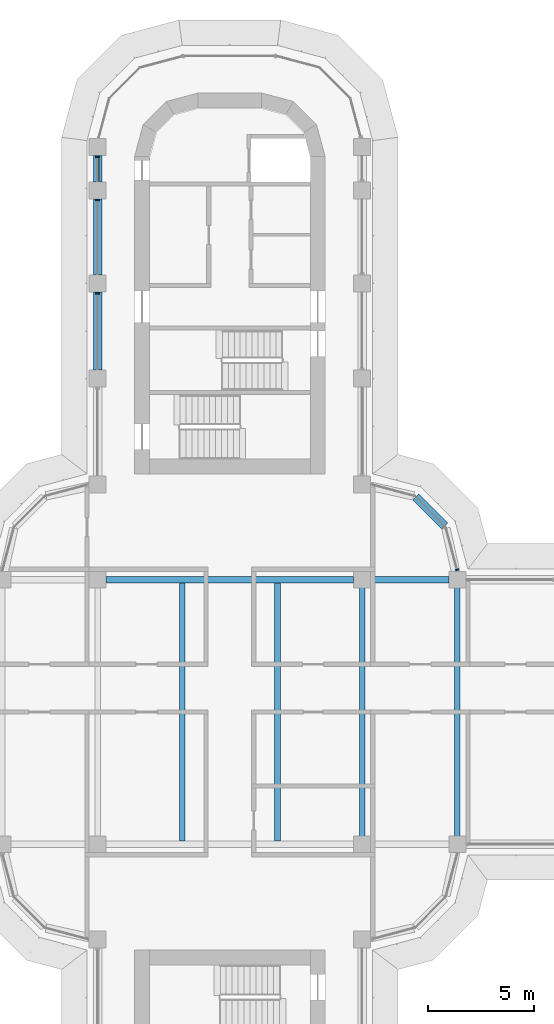
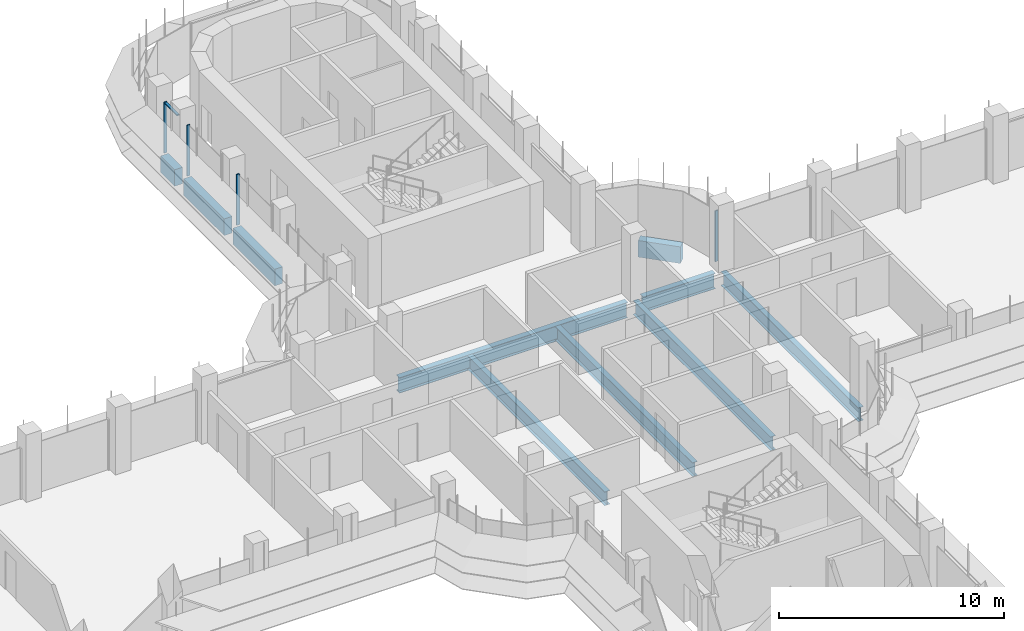
# One storey, part 7 of 20: 10 beams, 5 members, 2 elements without a shape of their own.
"""IFC4 building model written with IfcOpenShell, lengths in metres."""

from ifc_helpers import new_model, si_unit, direction, frame, origin, origin_2d, place, context, subcontext, project, spatial, polyline, rectangle, i_section, outline, extrude, source, transform, mapped, material, material_profile, profile_set, type_object, element, aggregate, save


model = new_model("IFC4")

# Units and contexts
model_context = context("Model", 3, precision=1e-05, world=origin(), true_north=direction((0.0, 1.0)))
body_context = subcontext(model_context, "Body", "Model", "MODEL_VIEW")
ifc_project = project(units=[si_unit("LENGTHUNIT", "METRE"), si_unit("AREAUNIT", "SQUARE_METRE"), si_unit("VOLUMEUNIT", "CUBIC_METRE"), si_unit("PLANEANGLEUNIT", "RADIAN"), si_unit("MASSUNIT", "GRAM", prefix="KILO")], contexts=[model_context])

# Site, building, storey
site_placement = place(None, origin())
site = spatial("IfcSite", under=ifc_project, at=site_placement, CompositionType="ELEMENT")
building_placement = place(site_placement, origin())
building = spatial("IfcBuilding", under=site, at=building_placement, Name="Zarbagh Exchange Tower", CompositionType="ELEMENT")
storey_placement = place(building_placement, frame((0.0, 0.0, 148.60009765625)))
storey = spatial("IfcBuildingStorey", under=building, at=storey_placement, Name="L35", CompositionType="ELEMENT", Elevation=148.60009765625)

# Beams
ifc_material_1 = material(Name="Steel ASTM A992 Gr 50", Category="steel")
ifc_material_profile_1 = material_profile(ifc_material_1, i_section(OverallWidth=0.26416015625, OverallDepth=0.749267578125, WebThickness=0.011962890625, FlangeThickness=0.015380859375, at=origin_2d()), Name="W30X90")
ifc_profile_set_1 = profile_set([ifc_material_profile_1], Name="Steel ASTM A992 Gr 50")
beam_type_1 = type_object("IfcBeamType", Name="Floor beam W30X90", PredefinedType="BEAM", material=ifc_profile_set_1)
for number, where, z_axis, x_axis, name in (
    (1, (-2.25, -6.10400390625, -0.524658203125), (0.0, 1.0, 0.0), (-1.0, 0.0, 0.0), "Steel floor beam"),
    (2, (2.25, -6.10400390625, -0.524658203125), (0.0, 1.0, 0.0), (-1.0, 0.0, 0.0), "Steel floor beam"),
    (3, (6.25, -6.10400390625, -0.524658203125), (0.0, 1.0, 0.0), (-1.0, 0.0, 0.0), "Steel floor beam"),
    (4, (10.75, -6.10400390625, -0.524658203125), (0.0, 1.0, 0.0), (-1.0, 0.0, 0.0), "Steel floor beam"),
):
    element("IfcBeam", number, at=place(storey_placement, frame(where, z_axis=z_axis, x_axis=x_axis)), inside=storey, type_object=beam_type_1, Name=name, PredefinedType="BEAM", context=body_context, shape_type="SweptSolid", body=[
        extrude(i_section(OverallWidth=0.26416015625, OverallDepth=0.749267578125, WebThickness=0.011962890625, FlangeThickness=0.015380859375, at=origin_2d()), origin(), (0.0, 0.0, 1.0), 12.2080078125),
    ])
ifc_material_profile_2 = material_profile(ifc_material_1, i_section(OverallWidth=0.2919921875, OverallDepth=0.835693359375, WebThickness=0.013916015625, FlangeThickness=0.018798828125, at=origin_2d()), Name="W33X118")
ifc_profile_set_2 = profile_set([ifc_material_profile_2], Name="Steel ASTM A992 Gr 50")
beam_type_2 = type_object("IfcBeamType", Name="Floor girder W33X118", PredefinedType="BEAM", material=ifc_profile_set_2)
beam_1_placement = place(storey_placement, frame((-5.85009765625, 6.25, -0.56787109375), z_axis=(1.0, 0.0, 0.0), x_axis=(0.0, 1.0, 0.0)))
element("IfcBeam", 5, at=beam_1_placement, inside=storey, type_object=beam_type_2, Name="Steel girder", PredefinedType="BEAM", context=body_context, shape_type="SweptSolid", body=[
    extrude(i_section(OverallWidth=0.2919921875, OverallDepth=0.835693359375, WebThickness=0.013916015625, FlangeThickness=0.018798828125, at=origin_2d()), origin(), (0.0, 0.0, 1.0), 11.7001953125),
])
beam_2_placement = place(storey_placement, frame((6.64990234375, 6.25, -0.56787109375), z_axis=(1.0, 0.0, 0.0), x_axis=(0.0, 1.0, 0.0)))
element("IfcBeam", 6, at=beam_2_placement, inside=storey, type_object=beam_type_2, Name="Steel girder", PredefinedType="BEAM", context=body_context, shape_type="SweptSolid", body=[
    extrude(i_section(OverallWidth=0.2919921875, OverallDepth=0.835693359375, WebThickness=0.013916015625, FlangeThickness=0.018798828125, at=origin_2d()), origin(), (0.0, 0.0, 1.0), 3.7001953125),
])
ifc_material_2 = material(Name="Concrete C50/60", Category="concrete")
ifc_material_profile_3 = material_profile(ifc_material_2, rectangle(XDim=0.39990234375, YDim=0.89990234375, at=origin_2d()), Name="RC spandrel beam 400 x 900 C50/60")
ifc_profile_set_3 = profile_set([ifc_material_profile_3], Name="Concrete C50/60")
beam_type_3 = type_object("IfcBeamType", Name="RC spandrel beam 400 x 900 C50/60", PredefinedType="SPANDREL", material=ifc_profile_set_3)
beam_3_placement = place(storey_placement, frame((-6.25, 16.14990234375, -0.60009765625), z_axis=(0.0, 1.0, 0.0), x_axis=(-1.0, 0.0, 0.0)))
element("IfcBeam", 7, at=beam_3_placement, inside=storey, type_object=beam_type_3, Name="RC spandrel beam", PredefinedType="SPANDREL", context=body_context, shape_type="SweptSolid", body=[
    extrude(rectangle(XDim=0.39990234375, YDim=0.89990234375, at=origin_2d()), origin(), (0.0, 0.0, 1.0), 3.7001953125),
])
beam_4_placement = place(storey_placement, frame((-6.25, 20.64990234375, -0.60009765625), z_axis=(0.0, 1.0, 0.0), x_axis=(-1.0, 0.0, 0.0)))
element("IfcBeam", 8, at=beam_4_placement, inside=storey, type_object=beam_type_3, Name="RC spandrel beam", PredefinedType="SPANDREL", context=body_context, shape_type="SweptSolid", body=[
    extrude(rectangle(XDim=0.39990234375, YDim=0.89990234375, at=origin_2d()), origin(), (0.0, 0.0, 1.0), 3.60009765625),
])
beam_5_placement = place(storey_placement, frame((-6.25, 25.050048828125, -0.60009765625), z_axis=(0.0, 1.0, 0.0), x_axis=(-1.0, 0.0, 0.0)))
element("IfcBeam", 9, at=beam_5_placement, inside=storey, type_object=beam_type_3, Name="RC spandrel beam", PredefinedType="SPANDREL", context=body_context, shape_type="SweptSolid", body=[
    extrude(rectangle(XDim=0.39990234375, YDim=0.89990234375, at=origin_2d()), origin(), (0.0, 0.0, 1.0), 1.25),
])
beam_6_placement = place(storey_placement, frame((8.782470703125, 10.15771484375, -0.60009765625), z_axis=(0.707106781187, -0.707106781187, 0.0), x_axis=(0.707106781187, 0.707106781187, 0.0)))
element("IfcBeam", 10, at=beam_6_placement, inside=storey, type_object=beam_type_3, Name="RC spandrel beam", PredefinedType="SPANDREL", context=body_context, shape_type="SweptSolid", body=[
    extrude(rectangle(XDim=0.39990234375, YDim=0.89990234375, at=origin_2d()), origin(), (0.0, 0.0, 1.0), 1.94482421875),
])

# Curtain wall, member
ifc_material_3 = material(Name="Anodised aluminium frame and glazing", Category="aluminium")
curtain_wall_type = type_object("IfcCurtainWallType", Name="CWB Ribbon glazing, upper zones", PredefinedType="NOTDEFINED", material=ifc_material_3)
curtain_wall_1_placement = place(storey_placement, origin())
curtain_wall_1 = element("IfcCurtainWall", 11, at=curtain_wall_1_placement, inside=storey, type_object=curtain_wall_type, Name="CWB17 curtain wall", PredefinedType="NOTDEFINED")
ifc_material_4 = material(Name="Anodised aluminium frame", Category="aluminium")
member_type_1 = type_object("IfcMemberType", Name="MUB Mullion, anodised aluminium frame", PredefinedType="MULLION", material=ifc_material_4)
shared_shape_1 = source(origin(), body_context, "Body", "SweptSolid", [
    extrude(outline(polyline([(0.0, -0.080078125), (0.06005859375, -0.080078125), (0.06005859375, 0.080078125), (0.0, 0.080078125), (0.0, -0.080078125)])), origin(), (0.0, 0.0, 1.0), 2.75),
])
placement = place(storey_placement, origin())
member_1 = element("IfcMember", 12, at=placement, type_object=member_type_1, Name="CWB17 mullion 1.1", PredefinedType="MULLION", context=body_context, shape_type="MappedRepresentation", body=[
    mapped(shared_shape_1, transform((10.74853515625, 6.68994140625, 0.0), x_axis=(-0.258824779902, 0.965924289636, 0.0), y_axis=(-0.965924289636, -0.258824779902, 0.0), z_axis=(0.0, 0.0, 1.0))),
])
aggregate(curtain_wall_1, [member_1])

# Curtain wall, members
curtain_wall_2_placement = place(storey_placement, origin())
curtain_wall_2 = element("IfcCurtainWall", 13, at=curtain_wall_2_placement, inside=storey, type_object=curtain_wall_type, Name="CWB28 curtain wall", PredefinedType="NOTDEFINED")
member_2 = element("IfcMember", 14, at=placement, type_object=member_type_1, Name="CWB28 mullion 1.1", PredefinedType="MULLION", context=body_context, shape_type="MappedRepresentation", body=[
    mapped(shared_shape_1, transform((-6.25, 26.260009765625, 0.0), x_axis=(0.0, -1.0, 0.0), y_axis=(1.0, 0.0, 0.0), z_axis=(0.0, 0.0, 1.0))),
])
member_3 = element("IfcMember", 15, at=placement, type_object=member_type_1, Name="CWB28 mullion 2.1", PredefinedType="MULLION", context=body_context, shape_type="MappedRepresentation", body=[
    mapped(shared_shape_1, transform((-6.25, 24.2099609375, 0.0), x_axis=(0.0, -1.0, 0.0), y_axis=(1.0, 0.0, 0.0), z_axis=(0.0, 0.0, 1.0))),
])
member_4 = element("IfcMember", 16, at=placement, type_object=member_type_1, Name="CWB28 mullion 3.1", PredefinedType="MULLION", context=body_context, shape_type="MappedRepresentation", body=[
    mapped(shared_shape_1, transform((-6.25, 19.81005859375, 0.0), x_axis=(0.0, -1.0, 0.0), y_axis=(1.0, 0.0, 0.0), z_axis=(0.0, 0.0, 1.0))),
])
member_type_2 = type_object("IfcMemberType", Name="TRB Transom, anodised aluminium frame", PredefinedType="USERDEFINED", material=ifc_material_4)
shared_shape_2 = source(origin(), body_context, "Body", "SweptSolid", [
    extrude(outline(polyline([(-0.06005859375, -0.06005859375), (0.0, -0.06005859375), (0.0, 0.06005859375), (-0.06005859375, 0.06005859375), (-0.06005859375, -0.06005859375)])), origin(), (0.0, 0.0, 1.0), 1.110107421875),
])
member_5 = element("IfcMember", 17, at=placement, type_object=member_type_2, Name="CWB28 transom 1.1", ObjectType="TRANSOM", PredefinedType="USERDEFINED", context=body_context, shape_type="MappedRepresentation", body=[
    mapped(shared_shape_2, transform((-6.25, 26.199951171875, 2.75), x_axis=(0.0, 0.0, 1.0), y_axis=(-1.0, 0.0, 0.0), z_axis=(0.0, -1.0, 0.0))),
])
aggregate(curtain_wall_2, [member_2, member_5, member_3, member_4])

save(model, "model.ifc")
